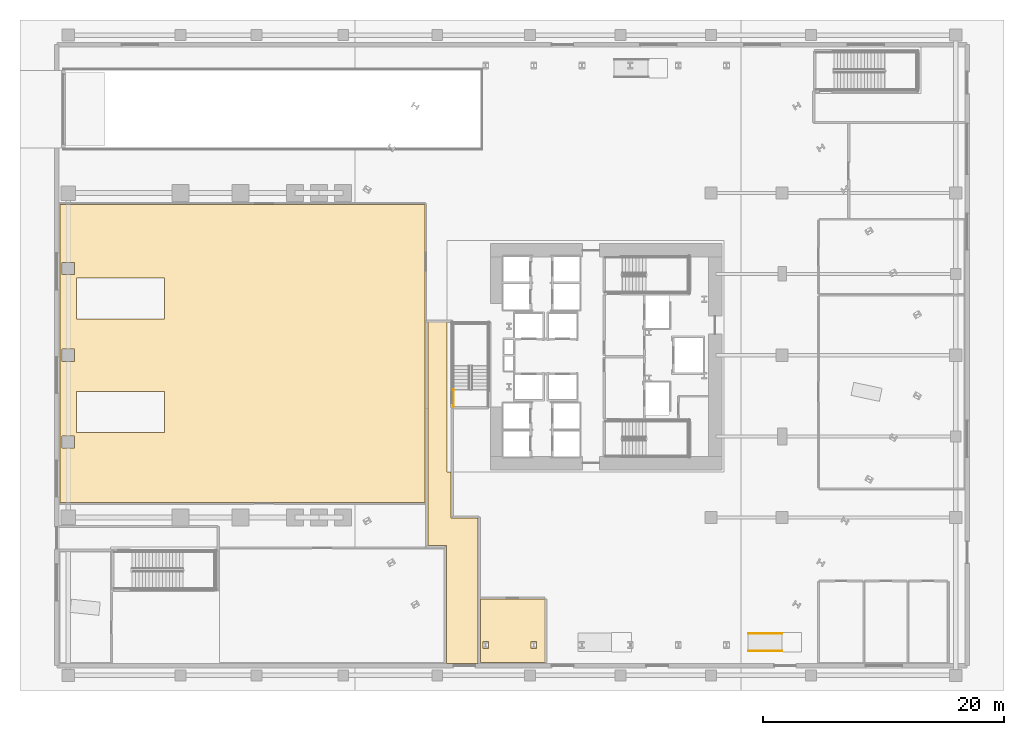
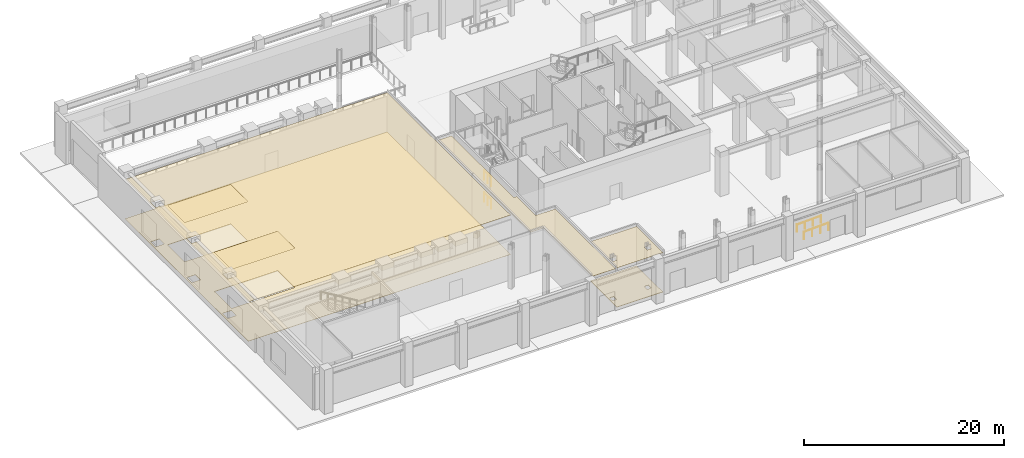
# One storey, part 10 of 18: 5 coverings, 4 railings.
"""IFC4 building model written with IfcOpenShell, lengths in metres."""

import ifcopenshell
import ifcopenshell.guid

model = None  # the IFC model being written
_history = None  # IfcOwnerHistory: only IFC2X3 demands one
_inside = {}  # id of a spatial element -> (the spatial element, [elements in it])
_under = {}  # id of a project, library or spatial element -> (it, [spatial elements below it])
_declared = {}  # id of a project -> (the project, [libraries it declares])
_typed = {}  # id of a type object -> (the type object, [elements of that type])
_made_of = {}  # id of a material, layer set ... -> (it, [elements and type objects made of it])


def new_model(schema):
    """Start an empty IFC model of exactly this schema.

    Asked for "IFC4X3", IfcOpenShell would pick the latest addendum, in which some entities
    have other attributes; the version numbers below select the first issue.
    IFC2X3 requires an IfcOwnerHistory on every rooted entity: one is made here for all.
    """
    global model, _history
    if schema == "IFC4X3":
        model = ifcopenshell.file(schema_version=(4, 3, 0, 0))
    else:
        model = ifcopenshell.file(schema=schema)
    _inside.clear()
    _under.clear()
    _declared.clear()
    _typed.clear()
    _made_of.clear()
    _history = None
    if model.schema == "IFC2X3":
        org = make("IfcOrganization", Name="unknown")
        user = make(
            "IfcPersonAndOrganization",
            ThePerson=make("IfcPerson", FamilyName="unknown"),
            TheOrganization=org,
        )
        app = make(
            "IfcApplication",
            ApplicationDeveloper=org,
            Version="unknown",
            ApplicationFullName="unknown",
            ApplicationIdentifier="unknown",
        )
        _history = make(
            "IfcOwnerHistory",
            OwningUser=user,
            OwningApplication=app,
            ChangeAction="ADDED",
            CreationDate=0,
        )
    return model


def make(cls, **values):
    """One entity of the class cls with the attributes given. An attribute that is None is left unset."""
    return model.create_entity(
        cls, **{name: value for name, value in values.items() if value is not None}
    )


def rooted(cls, **values):
    """An entity with a GlobalId (a new one), such as an element, a storey or a relation."""
    return make(cls, GlobalId=ifcopenshell.guid.new(), OwnerHistory=_history, **values)


def si_unit(unit_type, name, prefix=None):
    """IfcSIUnit, for example si_unit("LENGTHUNIT", "METRE", prefix="MILLI")."""
    return make("IfcSIUnit", UnitType=unit_type, Prefix=prefix, Name=name)


def assignment(units):
    """IfcUnitAssignment: the units of a project."""
    return None if units is None else make("IfcUnitAssignment", Units=units)


def point(xyz):
    """IfcCartesianPoint."""
    return None if xyz is None else make("IfcCartesianPoint", Coordinates=xyz)


def direction(xyz):
    """IfcDirection."""
    return None if xyz is None else make("IfcDirection", DirectionRatios=xyz)


def frame(location, z_axis=None, x_axis=None):
    """IfcAxis2Placement3D, a coordinate frame: its origin and axes. An axis left out is left unset."""
    return make(
        "IfcAxis2Placement3D",
        Location=point(location),
        Axis=direction(z_axis),
        RefDirection=direction(x_axis),
    )


def frame_2d(location, x_axis=None):
    """IfcAxis2Placement2D, a coordinate frame in the plane: its origin and x axis."""
    return make(
        "IfcAxis2Placement2D", Location=point(location), RefDirection=direction(x_axis)
    )


def origin():
    """The frame at (0, 0, 0) with its axes left unset."""
    return frame((0.0, 0.0, 0.0))


def origin_2d():
    """The frame at (0, 0) in the plane with its x axis left unset."""
    return frame_2d((0.0, 0.0))


def place(relative_to, where):
    """IfcLocalPlacement: puts the frame where relative to a parent placement (None: the world)."""
    return make(
        "IfcLocalPlacement", PlacementRelTo=relative_to, RelativePlacement=where
    )


def context(
    kind, dimensions, precision=None, world=None, true_north=None, identifier=None
):
    """IfcGeometricRepresentationContext, for example the 3D "Model" context."""
    return make(
        "IfcGeometricRepresentationContext",
        ContextIdentifier=identifier,
        ContextType=kind,
        CoordinateSpaceDimension=dimensions,
        Precision=precision,
        WorldCoordinateSystem=world,
        TrueNorth=true_north,
    )


def subcontext(parent, identifier, kind, view, scale=None):
    """IfcGeometricRepresentationSubContext, for example "Body" below "Model"."""
    return make(
        "IfcGeometricRepresentationSubContext",
        ContextIdentifier=identifier,
        ContextType=kind,
        ParentContext=parent,
        TargetScale=scale,
        TargetView=view,
    )


def project(units=None, contexts=None):
    """IfcProject with its units and contexts."""
    return rooted(
        "IfcProject",
        Name="project",
        RepresentationContexts=contexts,
        UnitsInContext=assignment(units),
    )


def spatial(cls, under=None, at=None, **own):
    """A site, building, storey or space (cls), placed at a placement, below another one or the project."""
    s = rooted(cls, ObjectPlacement=at, **own)
    if under is not None:
        _under.setdefault(under.id(), (under, []))[1].append(s)
    return s


def polyline(points):
    """IfcPolyline through the points."""
    return make("IfcPolyline", Points=[point(p) for p in points])


def profile(cls, at=None, kind="AREA", **sizes):
    """A parametric profile (cls). Its sizes go by their IFC names, for example OverallWidth=200.0."""
    return make(cls, ProfileType=kind, Position=at, **sizes)


def circle(**sizes):
    """IfcCircleProfileDef."""
    return profile("IfcCircleProfileDef", **sizes)


def outline(outer, holes=None, kind="AREA"):
    """IfcArbitraryClosedProfileDef: a profile drawn as a closed curve; with holes, ...WithVoids."""
    if holes is None:
        return make("IfcArbitraryClosedProfileDef", ProfileType=kind, OuterCurve=outer)
    return make(
        "IfcArbitraryProfileDefWithVoids",
        ProfileType=kind,
        OuterCurve=outer,
        InnerCurves=holes,
    )


def extrude(swept, where, along, depth):
    """IfcExtrudedAreaSolid: the profile swept, set in the frame where, extruded along a direction by depth."""
    return make(
        "IfcExtrudedAreaSolid",
        SweptArea=swept,
        Position=where,
        ExtrudedDirection=direction(along),
        Depth=depth,
    )


def shape(context_of_items, identifier, shape_type, items):
    """IfcShapeRepresentation: the items that make up one representation, for example the "Body"."""
    return make(
        "IfcShapeRepresentation",
        ContextOfItems=context_of_items,
        RepresentationIdentifier=identifier,
        RepresentationType=shape_type,
        Items=items,
    )


def material(Name=None, Category=None):
    """IfcMaterial."""
    return make("IfcMaterial", Name=Name, Category=Category)


def layer(
    of_material, thickness, ventilated=None, Name=None, Category=None, Priority=None
):
    """IfcMaterialLayer: one layer of a wall or slab, of a material (None: an air gap)."""
    return make(
        "IfcMaterialLayer",
        Material=of_material,
        LayerThickness=thickness,
        IsVentilated=ventilated,
        Name=Name,
        Category=Category,
        Priority=Priority,
    )


def layer_set(layers, Name=None):
    """IfcMaterialLayerSet."""
    return make("IfcMaterialLayerSet", MaterialLayers=layers, LayerSetName=Name)


def made_of(thing, what):
    """Note that an element or type object is made of a material, layer set ...; save() writes the relation."""
    if what is not None:
        _made_of.setdefault(what.id(), (what, []))[1].append(thing)
    return thing


def type_object(cls, material=None, **own):
    """A type object (cls), such as IfcWallType, which elements share."""
    return made_of(rooted(cls, **own), material)


def element(
    cls,
    number,
    at=None,
    inside=None,
    cuts=None,
    type_object=None,
    material=None,
    context=None,
    identifier="Body",
    shape_type=None,
    held_by="IfcProductDefinitionShape",
    body=None,
    shapes=None,
    **own,
):
    """One element of the class cls, such as IfcWall. Its Tag is "e" and its number.

    at: its placement. inside: the storey or other place that contains it. cuts: it is an
    opening in that element (IfcRelVoidsElement). A single representation is given by context,
    identifier, shape_type and body (its items); several are given by shapes. held_by: the class
    of the entity that holds the representations. save() writes the other relations.
    """
    e = rooted(cls, Tag="e%d" % number, ObjectPlacement=at, **own)
    if body is not None:
        shapes = [shape(context, identifier, shape_type, body)]
    if shapes is not None:
        e.Representation = make(held_by, Representations=shapes)
    if inside is not None:
        _inside.setdefault(inside.id(), (inside, []))[1].append(e)
    if cuts is not None:
        rooted(
            "IfcRelVoidsElement", RelatingBuildingElement=cuts, RelatedOpeningElement=e
        )
    if type_object is not None:
        _typed.setdefault(type_object.id(), (type_object, []))[1].append(e)
    return made_of(e, material)


def aggregate(whole, parts):
    """IfcRelAggregates: a whole, such as a stair, and the parts it consists of."""
    return rooted("IfcRelAggregates", RelatingObject=whole, RelatedObjects=parts)


def save(model, path):
    """Write the relations noted so far, then the file.

    IfcRelAggregates (storeys below a building ...), IfcRelContainedInSpatialStructure (elements
    in a storey), IfcRelDefinesByType, IfcRelAssociatesMaterial and IfcRelDeclares: one each for
    every whole, place, type object, material and project.
    """
    for whole, parts in _under.values():
        aggregate(whole, parts)
    for where, things in _inside.values():
        rooted(
            "IfcRelContainedInSpatialStructure",
            RelatedElements=things,
            RelatingStructure=where,
        )
    for kind, things in _typed.values():
        rooted("IfcRelDefinesByType", RelatedObjects=things, RelatingType=kind)
    for what, things in _made_of.values():
        rooted("IfcRelAssociatesMaterial", RelatedObjects=things, RelatingMaterial=what)
    for by, libraries in _declared.values():
        rooted("IfcRelDeclares", RelatingContext=by, RelatedDefinitions=libraries)
    model.write(path)


model = new_model("IFC4")

# Units and contexts
model_context = context("Model", 3, precision=1e-05, world=origin(), true_north=direction((0.0, 1.0)))
body_context = subcontext(model_context, "Body", "Model", "MODEL_VIEW")
ifc_project = project(units=[si_unit("LENGTHUNIT", "METRE"), si_unit("AREAUNIT", "SQUARE_METRE"), si_unit("VOLUMEUNIT", "CUBIC_METRE"), si_unit("PLANEANGLEUNIT", "RADIAN"), si_unit("MASSUNIT", "GRAM", prefix="KILO")], contexts=[model_context])

# Site, building, storey
site_placement = place(None, origin())
site = spatial("IfcSite", under=ifc_project, at=site_placement, CompositionType="ELEMENT")
building_placement = place(site_placement, origin())
building = spatial("IfcBuilding", under=site, at=building_placement, Name="Valkerne Bourse Tower", CompositionType="ELEMENT")
storey_placement = place(building_placement, origin())
storey = spatial("IfcBuildingStorey", under=building, at=storey_placement, Name="L00", CompositionType="ELEMENT", Elevation=0.0)

# Coverings
ifc_material_1 = material(Name="Mineral Fiber Acoustic Ceiling Tile", Category="acoustic")
ifc_layer_1 = layer(ifc_material_1, 0.02490234375)
ifc_layer_set_1 = layer_set([ifc_layer_1], Name="Mineral Fiber Acoustic Ceiling Tile")
covering_type_1 = type_object("IfcCoveringType", Name="COV-CEIL-ACT", PredefinedType="CEILING", material=ifc_layer_set_1)
covering_1_placement = place(storey_placement, frame((0.0, 0.0, 4.81005859375)))
element("IfcCovering", 1, at=covering_1_placement, inside=storey, type_object=covering_type_1, Name="L00 Suspended Ceiling 08", PredefinedType="CEILING", context=body_context, shape_type="SweptSolid", body=[
    extrude(outline(polyline([(36.404052734375, 6.7958984375), (41.716064453125, 6.7958984375), (41.716064453125, 1.50390625), (36.404052734375, 1.50390625), (36.404052734375, 6.7958984375)]), holes=[polyline([(37.04150390625, 3.25634765625), (36.57861328125, 3.25634765625), (36.57861328125, 2.67919921875), (37.04150390625, 2.67919921875), (37.04150390625, 3.25634765625)]), polyline([(40.57470703125, 3.25634765625), (40.57470703125, 2.67919921875), (41.037353515625, 2.67919921875), (41.037353515625, 3.25634765625), (40.57470703125, 3.25634765625)])]), origin(), (0.0, 0.0, 1.0), 0.02490234375),
])
ifc_material_2 = material(Name="Bronze Anodised Aluminium AA 6063-T6", Category="aluminium")
ifc_layer_2 = layer(ifc_material_2, 0.030029296875)
ifc_layer_set_2 = layer_set([ifc_layer_2], Name="Bronze Anodised Aluminium AA 6063-T6")
covering_type_2 = type_object("IfcCoveringType", Name="COV-CEIL-METAL", PredefinedType="CEILING", material=ifc_layer_set_2)
covering_2_placement = place(storey_placement, frame((0.0, 0.0, 4.81005859375)))
element("IfcCovering", 2, at=covering_2_placement, inside=storey, type_object=covering_type_2, Name="L00 Suspended Ceiling 04", PredefinedType="CEILING", context=body_context, shape_type="SweptSolid", body=[
    extrude(outline(polyline([(33.553955078125, 11.2041015625), (32.02392578125, 11.2041015625), (32.02392578125, 29.74609375), (33.60009765625, 29.74609375), (33.60009765625, 17.300048828125), (33.9560546875, 17.300048828125), (33.9560546875, 13.49609375), (36.196044921875, 13.49609375), (36.196044921875, 1.4541015625), (33.553955078125, 1.4541015625), (33.553955078125, 11.2041015625)])), origin(), (0.0, 0.0, 1.0), 0.02490234375),
])
covering_3_placement = place(storey_placement, frame((0.0, 0.0, 4.81005859375)))
element("IfcCovering", 3, at=covering_3_placement, inside=storey, type_object=covering_type_2, Name="L00 Suspended Ceiling 05", PredefinedType="CEILING", context=body_context, shape_type="SweptSolid", body=[
    extrude(outline(polyline([(1.50390625, 39.49609375), (31.7958984375, 39.49609375), (31.7958984375, 14.803955078125), (1.50390625, 14.803955078125), (1.50390625, 39.49609375)]), holes=[polyline([(1.696044921875, 20.303955078125), (1.696044921875, 19.2958984375), (2.7041015625, 19.2958984375), (2.7041015625, 20.303955078125), (1.696044921875, 20.303955078125)]), polyline([(2.89990234375, 24.0), (2.89990234375, 20.60009765625), (10.199951171875, 20.60009765625), (10.199951171875, 24.0), (2.89990234375, 24.0)]), polyline([(2.7041015625, 27.50390625), (1.696044921875, 27.50390625), (1.696044921875, 26.49609375), (2.7041015625, 26.49609375), (2.7041015625, 27.50390625)]), polyline([(2.89990234375, 30.0), (10.199951171875, 30.0), (10.199951171875, 33.39990234375), (2.89990234375, 33.39990234375), (2.89990234375, 30.0)]), polyline([(2.7041015625, 34.7041015625), (1.696044921875, 34.7041015625), (1.696044921875, 33.696044921875), (2.7041015625, 33.696044921875), (2.7041015625, 34.7041015625)])]), origin(), (0.0, 0.0, 1.0), 0.02490234375),
])
ifc_material_3 = material(Name="Galvanised Painted Steel", Category="steel")
ifc_layer_3 = layer(ifc_material_3, 0.044921875)
ifc_layer_set_3 = layer_set([ifc_layer_3], Name="Galvanised Painted Steel")
covering_type_3 = type_object("IfcCoveringType", Name="COV-FLR-RAF", PredefinedType="FLOORING", material=ifc_layer_set_3)
covering_4_placement = place(storey_placement, origin())
element("IfcCovering", 4, at=covering_4_placement, inside=storey, type_object=covering_type_3, Name="L00 Floor Finish 08", PredefinedType="FLOORING", context=body_context, shape_type="SweptSolid", body=[
    extrude(outline(polyline([(36.404052734375, 6.7958984375), (41.716064453125, 6.7958984375), (41.716064453125, 1.50390625), (36.404052734375, 1.50390625), (36.404052734375, 6.7958984375)]), holes=[polyline([(37.04150390625, 3.25634765625), (36.57861328125, 3.25634765625), (36.57861328125, 2.67919921875), (37.04150390625, 2.67919921875), (37.04150390625, 3.25634765625)]), polyline([(40.57470703125, 3.25634765625), (40.57470703125, 2.67919921875), (41.037353515625, 2.67919921875), (41.037353515625, 3.25634765625), (40.57470703125, 3.25634765625)])]), origin(), (0.0, 0.0, 1.0), 0.044921875),
])
ifc_material_4 = material(Name="Polished Granite Stone", Category="masonry")
ifc_layer_4 = layer(ifc_material_4, 0.030029296875)
ifc_layer_set_4 = layer_set([ifc_layer_4], Name="Polished Granite Stone")
covering_type_4 = type_object("IfcCoveringType", Name="COV-FLR-TERRAZZO", PredefinedType="FLOORING", material=ifc_layer_set_4)
covering_5_placement = place(storey_placement, origin())
element("IfcCovering", 5, at=covering_5_placement, inside=storey, type_object=covering_type_4, Name="L00 Floor Finish 05", PredefinedType="FLOORING", context=body_context, shape_type="SweptSolid", body=[
    extrude(outline(polyline([(1.50390625, 39.49609375), (31.7958984375, 39.49609375), (31.7958984375, 14.803955078125), (1.50390625, 14.803955078125), (1.50390625, 39.49609375)]), holes=[polyline([(1.696044921875, 20.303955078125), (1.696044921875, 19.2958984375), (2.7041015625, 19.2958984375), (2.7041015625, 20.303955078125), (1.696044921875, 20.303955078125)]), polyline([(2.89990234375, 24.0), (2.89990234375, 20.60009765625), (10.199951171875, 20.60009765625), (10.199951171875, 24.0), (2.89990234375, 24.0)]), polyline([(2.7041015625, 27.50390625), (1.696044921875, 27.50390625), (1.696044921875, 26.49609375), (2.7041015625, 26.49609375), (2.7041015625, 27.50390625)]), polyline([(2.89990234375, 30.0), (10.199951171875, 30.0), (10.199951171875, 33.39990234375), (2.89990234375, 33.39990234375), (2.89990234375, 30.0)]), polyline([(2.7041015625, 34.7041015625), (1.696044921875, 34.7041015625), (1.696044921875, 33.696044921875), (2.7041015625, 33.696044921875), (2.7041015625, 34.7041015625)])]), origin(), (0.0, 0.0, 1.0), 0.030029296875),
])

# Railings
railing_type_1 = type_object("IfcRailingType", Name="RLG-ST-GUARD-1120", PredefinedType="GUARDRAIL", material=ifc_material_3)
for number, where, name in (
    (6, (34.14990234375, 22.75, 2.699951171875), "L00 ST-3 stair guard 9"),
    (7, (34.14990234375, 22.75, 0.0), "L00 ST-3 stair guard 18"),
):
    element("IfcRailing", number, at=place(storey_placement, frame(where)), inside=storey, type_object=railing_type_1, Name=name, PredefinedType="GUARDRAIL", context=body_context, shape_type="SweptSolid", body=[
        extrude(circle(Radius=0.02392578125, at=origin_2d()), frame((0.0, 0.0, 1.09619140625), z_axis=(0.0, 1.0, 0.0), x_axis=(-1.0, 0.0, 0.0)), (0.0, 0.0, 1.0), 1.39990234375),
        extrude(circle(Radius=0.02099609375, at=origin_2d()), origin(), (0.0, 0.0, 1.0), 1.072021484375),
        extrude(circle(Radius=0.02099609375, at=origin_2d()), frame((0.0, 0.699951171875, 0.0)), (0.0, 0.0, 1.0), 1.072021484375),
        extrude(circle(Radius=0.02099609375, at=origin_2d()), frame((0.0, 1.39990234375, 0.0)), (0.0, 0.0, 1.0), 1.072021484375),
    ])
ifc_material_5 = material(Name="Stainless Steel AISI 316", Category="steel")
railing_type_2 = type_object("IfcRailingType", Name="RLG-ST-HANDRAIL-900", PredefinedType="HANDRAIL", material=ifc_material_5)
for number, where, name in (
    (8, (58.60009765625, 2.47998046875, 0.0), "L00 Accessible Ramp RMP-PED-01 Railing 1"),
    (9, (58.60009765625, 3.919921875, 0.0), "L00 Accessible Ramp RMP-PED-01 Railing 2"),
):
    element("IfcRailing", number, at=place(storey_placement, frame(where)), inside=storey, type_object=railing_type_2, Name=name, PredefinedType="HANDRAIL", context=body_context, shape_type="SweptSolid", body=[
        extrude(circle(Radius=0.02392578125, at=origin_2d()), frame((0.0, 0.0, 0.8759765625), z_axis=(0.999080978163, 0.0, 0.042862560277), x_axis=(0.0, 1.0, 0.0)), (0.0, 0.0, 1.0), 2.802490234375),
        extrude(circle(Radius=0.02099609375, at=origin_2d()), origin(), (0.0, 0.0, 1.0), 0.851806640625),
        extrude(circle(Radius=0.02099609375, at=origin_2d()), frame((0.933349609375, 0.0, 0.0400390625)), (0.0, 0.0, 1.0), 0.851806640625),
        extrude(circle(Radius=0.02099609375, at=origin_2d()), frame((1.866455078125, 0.0, 0.080078125)), (0.0, 0.0, 1.0), 0.851806640625),
        extrude(circle(Radius=0.02099609375, at=origin_2d()), frame((2.7998046875, 0.0, 0.1201171875)), (0.0, 0.0, 1.0), 0.851806640625),
    ])

save(model, "model.ifc")
